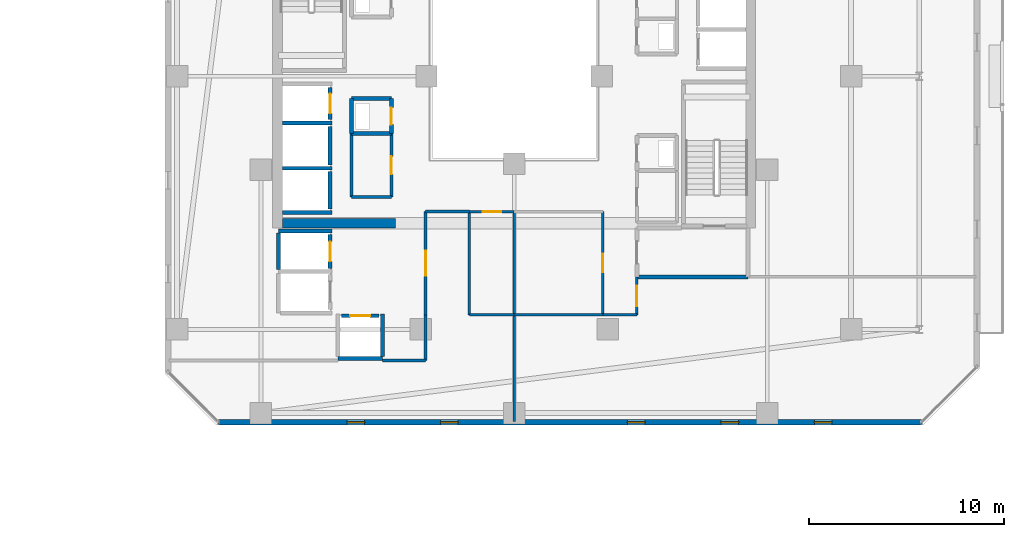
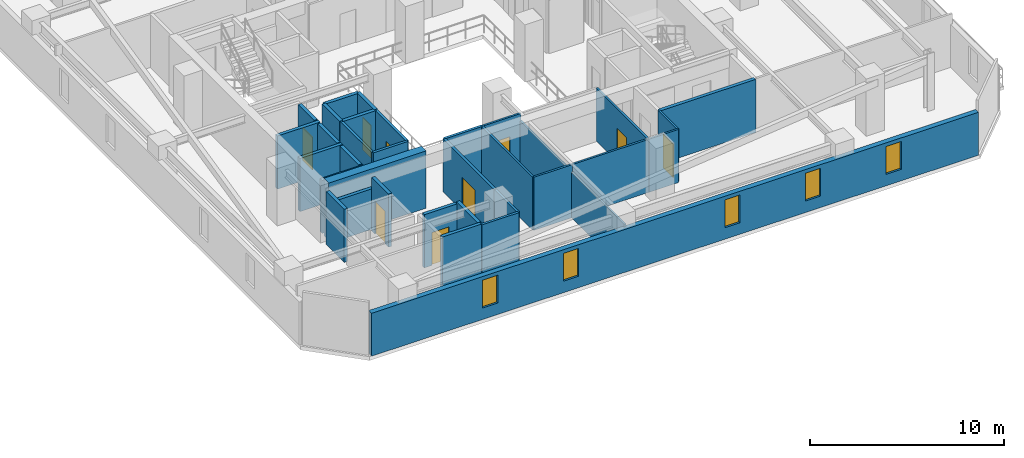
# One storey, part 23 of 33: 35 walls, 9 doors, 5 windows, 14 openings.
"""IFC4 building model written with IfcOpenShell, lengths in metres."""

from ifc_helpers import new_model, si_unit, direction, frame, frame_2d, origin, place, context, subcontext, project, spatial, rectangle, extrude, material, layer, layer_set, type_object, element, fill, save


model = new_model("IFC4")

# Units and contexts
model_context = context("Model", 3, precision=1e-05, world=origin(), true_north=direction((0.0, 1.0)))
body_context = subcontext(model_context, "Body", "Model", "MODEL_VIEW")
ifc_project = project(units=[si_unit("LENGTHUNIT", "METRE"), si_unit("AREAUNIT", "SQUARE_METRE"), si_unit("VOLUMEUNIT", "CUBIC_METRE"), si_unit("PLANEANGLEUNIT", "RADIAN"), si_unit("MASSUNIT", "GRAM", prefix="KILO")], contexts=[model_context])

# Site, building, storey
site_placement = place(None, origin())
site = spatial("IfcSite", under=ifc_project, at=site_placement, CompositionType="ELEMENT")
building_placement = place(site_placement, origin())
building = spatial("IfcBuilding", under=site, at=building_placement, Name="Thornwick Lancets Civic Towers", CompositionType="ELEMENT")
storey_placement = place(building_placement, frame((0.0, 0.0, 167.10009765625)))
storey = spatial("IfcBuildingStorey", under=building, at=storey_placement, Name="L44", CompositionType="ELEMENT", Elevation=167.10009765625)

# Wall, opening, door
ifc_material_1 = material(Name="Concrete blockwork C40/50", Category="masonry")
ifc_layer_1 = layer(ifc_material_1, 0.199951171875, Name="Concrete blockwork C40/50")
ifc_layer_set_1 = layer_set([ifc_layer_1], Name="Concrete blockwork C40/50")
wall_type_1 = type_object("IfcWallType", Name="WALL_COMP_200", PredefinedType="STANDARD", material=ifc_layer_set_1)
wall_1_placement = place(storey_placement, frame((79.050048828125, 24.780029296875, 0.0), z_axis=(0.0, 0.0, 1.0), x_axis=(0.0, 1.0, 0.0)))
wall_1 = element("IfcWall", 1, at=wall_1_placement, inside=storey, type_object=wall_type_1, Name="L44 Hoistway Front Wall FL-B2", PredefinedType="STANDARD", context=body_context, shape_type="SweptSolid", body=[
    extrude(rectangle(XDim=1.639892578125, YDim=0.199951171875, at=frame_2d((0.81982421875, 0.0))), origin(), (0.0, 0.0, 1.0), 3.33984375),
])
opening_1_placement = place(wall_1_placement, frame((0.31005859375, 0.0, 0.0)))
opening_1 = element("IfcOpeningElement", 2, at=opening_1_placement, cuts=wall_1, Name="Opening LD-FL-B2", PredefinedType="OPENING", context=body_context, shape_type="SweptSolid", body=[
    extrude(rectangle(XDim=1.02001953125, YDim=2.06005859375, at=frame_2d((0.510009765625, 1.030029296875))), frame((0.0, 0.10986328125, 0.0), z_axis=(0.0, -1.0, 0.0), x_axis=(1.0, 0.0, 0.0)), (0.0, 0.0, 1.0), 0.219970703125),
])
ifc_material_2 = material(Name="Brushed bronze stainless steel", Category="steel")
door_type_1 = type_object("IfcDoorType", Name="DOOR_LIFT_SLIDE", OperationType="SLIDING_TO_LEFT", PredefinedType="DOOR", material=ifc_material_2)
door_1_placement = place(opening_1_placement, origin())
door_1 = element("IfcDoor", 3, at=door_1_placement, inside=storey, type_object=door_type_1, Name="L44 Sliding Lift Landing Door LD-FL-B2", OperationType="SLIDING_TO_LEFT", OverallHeight=2.06005859375, OverallWidth=1.02001953125, PredefinedType="DOOR", context=body_context, shape_type="SweptSolid", body=[
    extrude(rectangle(XDim=1.02001953125, YDim=2.06005859375, at=frame_2d((0.510009765625, 1.030029296875))), frame((0.0, 0.02490234375, 0.0), z_axis=(0.0, -1.0, 0.0), x_axis=(1.0, 0.0, 0.0)), (0.0, 0.0, 1.0), 0.050048828125),
])
fill(opening_1, door_1)

# Walls
wall_2_placement = place(storey_placement, frame((79.050048828125, 22.429931640625, 0.0), z_axis=(0.0, 0.0, 1.0), x_axis=(0.0, 1.0, 0.0)))
element("IfcWall", 4, at=wall_2_placement, inside=storey, type_object=wall_type_1, Name="L44 Hoistway Front Wall PL-BH2", PredefinedType="STANDARD", context=body_context, shape_type="SweptSolid", body=[
    extrude(rectangle(XDim=1.989990234375, YDim=0.199951171875, at=frame_2d((0.9951171875, 0.0))), origin(), (0.0, 0.0, 1.0), 3.33984375),
])
wall_3_placement = place(storey_placement, frame((79.050048828125, 20.179931640625, 0.0), z_axis=(0.0, 0.0, 1.0), x_axis=(0.0, 1.0, 0.0)))
element("IfcWall", 5, at=wall_3_placement, inside=storey, type_object=wall_type_1, Name="L44 Hoistway Front Wall PL-BH3", PredefinedType="STANDARD", context=body_context, shape_type="SweptSolid", body=[
    extrude(rectangle(XDim=1.940185546875, YDim=0.199951171875, at=frame_2d((0.97021484375, 0.0))), origin(), (0.0, 0.0, 1.0), 3.33984375),
])

# Wall, opening, door
wall_4_placement = place(storey_placement, frame((79.050048828125, 17.1298828125, 0.0), z_axis=(0.0, 0.0, 1.0), x_axis=(0.0, 1.0, 0.0)))
wall_4 = element("IfcWall", 6, at=wall_4_placement, inside=storey, type_object=wall_type_1, Name="L44 Hoistway Front Wall PL-BM1", PredefinedType="STANDARD", context=body_context, shape_type="SweptSolid", body=[
    extrude(rectangle(XDim=1.740234375, YDim=0.199951171875, at=frame_2d((0.8701171875, 0.0))), origin(), (0.0, 0.0, 1.0), 3.33984375),
])
opening_2_placement = place(wall_4_placement, frame((0.360107421875, 0.0, 0.0)))
opening_2 = element("IfcOpeningElement", 7, at=opening_2_placement, cuts=wall_4, Name="Opening LD-PL-BM1", PredefinedType="OPENING", context=body_context, shape_type="SweptSolid", body=[
    extrude(rectangle(XDim=1.02001953125, YDim=2.06005859375, at=frame_2d((0.510009765625, 1.030029296875))), frame((0.0, 0.10986328125, 0.0), z_axis=(0.0, -1.0, 0.0), x_axis=(1.0, 0.0, 0.0)), (0.0, 0.0, 1.0), 0.219970703125),
])
door_2_placement = place(opening_2_placement, origin())
door_2 = element("IfcDoor", 8, at=door_2_placement, inside=storey, type_object=door_type_1, Name="L44 Sliding Lift Landing Door LD-PL-BM1", OperationType="SLIDING_TO_LEFT", OverallHeight=2.06005859375, OverallWidth=1.02001953125, PredefinedType="DOOR", context=body_context, shape_type="SweptSolid", body=[
    extrude(rectangle(XDim=1.02001953125, YDim=2.06005859375, at=frame_2d((0.510009765625, 1.030029296875))), frame((0.0, 0.02490234375, 0.0), z_axis=(0.0, -1.0, 0.0), x_axis=(1.0, 0.0, 0.0)), (0.0, 0.0, 1.0), 0.050048828125),
])
fill(opening_2, door_2)

wall_5_placement = place(storey_placement, frame((79.6298828125, 14.699951171875, 0.0), z_axis=(0.0, 0.0, 1.0), x_axis=(1.0, 0.0, 0.0)))
wall_5 = element("IfcWall", 9, at=wall_5_placement, inside=storey, type_object=wall_type_1, Name="L44 Hoistway Front Wall PL-BM3", PredefinedType="STANDARD", context=body_context, shape_type="SweptSolid", body=[
    extrude(rectangle(XDim=1.940185546875, YDim=0.199951171875, at=frame_2d((0.97021484375, 0.0))), origin(), (0.0, 0.0, 1.0), 3.33984375),
])
opening_3_placement = place(wall_5_placement, frame((0.4599609375, 0.0, 0.0)))
opening_3 = element("IfcOpeningElement", 10, at=opening_3_placement, cuts=wall_5, Name="Opening LD-PL-BM3", PredefinedType="OPENING", context=body_context, shape_type="SweptSolid", body=[
    extrude(rectangle(XDim=1.02001953125, YDim=2.06005859375, at=frame_2d((0.510009765625, 1.030029296875))), frame((0.0, 0.10986328125, 0.0), z_axis=(0.0, -1.0, 0.0), x_axis=(1.0, 0.0, 0.0)), (0.0, 0.0, 1.0), 0.219970703125),
])
door_3_placement = place(opening_3_placement, origin())
door_3 = element("IfcDoor", 11, at=door_3_placement, inside=storey, type_object=door_type_1, Name="L44 Sliding Lift Landing Door LD-PL-BM3", OperationType="SLIDING_TO_LEFT", OverallHeight=2.06005859375, OverallWidth=1.02001953125, PredefinedType="DOOR", context=body_context, shape_type="SweptSolid", body=[
    extrude(rectangle(XDim=1.02001953125, YDim=2.06005859375, at=frame_2d((0.510009765625, 1.030029296875))), frame((0.0, 0.02490234375, 0.0), z_axis=(0.0, -1.0, 0.0), x_axis=(1.0, 0.0, 0.0)), (0.0, 0.0, 1.0), 0.050048828125),
])
fill(opening_3, door_3)

# Walls
for number, where, z_axis, x_axis, name in (
    (12, (76.612060546875, 24.60009765625, 0.0), (0.0, 0.0, 1.0), (1.0, 0.0, 0.0), "L44 Hoistway Shaft Wall FL-B2 S"),
    (13, (76.612060546875, 22.27490234375, 0.0), (0.0, 0.0, 1.0), (1.0, 0.0, 0.0), "L44 Hoistway Shaft Wall PL-BH2 S"),
    (14, (76.612060546875, 20.0, 0.0), (0.0, 0.0, 1.0), (1.0, 0.0, 0.0), "L44 Hoistway Shaft Wall PL-BH3 S"),
):
    element("IfcWall", number, at=place(storey_placement, frame(where, z_axis=z_axis, x_axis=x_axis)), inside=storey, type_object=wall_type_1, Name=name, PredefinedType="STANDARD", context=body_context, shape_type="SweptSolid", body=[
        extrude(rectangle(XDim=2.535888671875, YDim=0.199951171875, at=frame_2d((1.26806640625, 0.0))), origin(), (0.0, 0.0, 1.0), 3.33984375),
    ])
wall_6_placement = place(storey_placement, frame((76.402099609375, 19.050048828125, 0.0), z_axis=(0.0, 0.0, 1.0), x_axis=(1.0, 0.0, 0.0)))
element("IfcWall", 15, at=wall_6_placement, inside=storey, type_object=wall_type_1, Name="L44 Hoistway Shaft Wall PL-BM1 N", PredefinedType="STANDARD", context=body_context, shape_type="SweptSolid", body=[
    extrude(rectangle(XDim=2.745849609375, YDim=0.199951171875, at=frame_2d((1.373046875, 0.0))), origin(), (0.0, 0.0, 1.0), 2.544921875),
])
wall_7_placement = place(storey_placement, frame((76.39990234375, 17.08203125, 0.0), z_axis=(0.0, 0.0, 1.0), x_axis=(0.0, 1.0, 0.0)))
element("IfcWall", 16, at=wall_7_placement, inside=storey, type_object=wall_type_1, Name="L44 Hoistway Shaft Wall PL-BM1 W", PredefinedType="STANDARD", context=body_context, shape_type="SweptSolid", body=[
    extrude(rectangle(XDim=1.85595703125, YDim=0.199951171875, at=frame_2d((0.927978515625, 0.0))), origin(), (0.0, 0.0, 1.0), 3.33984375),
])
wall_8_placement = place(storey_placement, frame((79.451904296875, 12.5, 0.0), z_axis=(0.0, 0.0, 1.0), x_axis=(1.0, 0.0, 0.0)))
element("IfcWall", 17, at=wall_8_placement, inside=storey, type_object=wall_type_1, Name="L44 Hoistway Shaft Wall PL-BM3 S", PredefinedType="STANDARD", context=body_context, shape_type="SweptSolid", body=[
    extrude(rectangle(XDim=2.296142578125, YDim=0.199951171875, at=frame_2d((1.14794921875, 0.0))), origin(), (0.0, 0.0, 1.0), 3.33984375),
])
wall_9_placement = place(storey_placement, frame((81.75, 12.612060546875, 0.0), z_axis=(0.0, 0.0, 1.0), x_axis=(0.0, 1.0, 0.0)))
element("IfcWall", 18, at=wall_9_placement, inside=storey, type_object=wall_type_1, Name="L44 Hoistway Shaft Wall PL-BM3 E", PredefinedType="STANDARD", context=body_context, shape_type="SweptSolid", body=[
    extrude(rectangle(XDim=2.18603515625, YDim=0.199951171875, at=frame_2d((1.093017578125, 0.0))), origin(), (0.0, 0.0, 1.0), 3.33984375),
])
wall_10_placement = place(storey_placement, frame((94.800048828125, 16.699951171875, 0.0), z_axis=(0.0, 0.0, 1.0), x_axis=(1.0, 0.0, 0.0)))
element("IfcWall", 19, at=wall_10_placement, inside=storey, type_object=wall_type_1, Name="L44 Partition L44-B-FFLOB1 E1", PredefinedType="STANDARD", context=body_context, shape_type="SweptSolid", body=[
    extrude(rectangle(XDim=5.699951171875, YDim=0.199951171875, at=frame_2d((2.85009765625, 0.0))), origin(), (0.0, 0.0, 1.0), 3.33984375),
])
wall_11_placement = place(storey_placement, frame((80.14990234375, 24.050048828125, 0.0), z_axis=(0.0, 0.0, 1.0), x_axis=(1.0, 0.0, 0.0)))
element("IfcWall", 20, at=wall_11_placement, inside=storey, type_object=wall_type_1, Name="L44 Partition L44-B-DUCT2 E1", PredefinedType="STANDARD", context=body_context, shape_type="SweptSolid", body=[
    extrude(rectangle(XDim=2.050048828125, YDim=0.199951171875, at=frame_2d((1.02490234375, 0.0))), origin(), (0.0, 0.0, 1.0), 3.33984375),
])

# Wall, opening, door
wall_12_placement = place(storey_placement, frame((82.199951171875, 24.050048828125, 0.0), z_axis=(0.0, 0.0, 1.0), x_axis=(0.0, 1.0, 0.0)))
wall_12 = element("IfcWall", 21, at=wall_12_placement, inside=storey, type_object=wall_type_1, Name="L44 Partition L44-B-DUCT2 E2", PredefinedType="STANDARD", context=body_context, shape_type="SweptSolid", body=[
    extrude(rectangle(XDim=1.800048828125, YDim=0.199951171875, at=frame_2d((0.89990234375, 0.0))), origin(), (0.0, 0.0, 1.0), 3.33984375),
])
opening_4_placement = place(wall_12_placement, frame((0.4599609375, 0.0, 0.0)))
opening_4 = element("IfcOpeningElement", 22, at=opening_4_placement, cuts=wall_12, Name="Opening D-L44-1972", PredefinedType="OPENING", context=body_context, shape_type="SweptSolid", body=[
    extrude(rectangle(XDim=0.8798828125, YDim=2.0400390625, at=frame_2d((0.43994140625, 1.02001953125))), frame((0.0, 0.10986328125, 0.0), z_axis=(0.0, -1.0, 0.0), x_axis=(1.0, 0.0, 0.0)), (0.0, 0.0, 1.0), 0.219970703125),
])
ifc_material_3 = material(Name="Steel riser access doorset", Category="steel")
door_type_2 = type_object("IfcDoorType", Name="DOOR_RISER_850", OperationType="NOTDEFINED", PredefinedType="DOOR", material=ifc_material_3)
door_4_placement = place(opening_4_placement, origin())
door_4 = element("IfcDoor", 23, at=door_4_placement, inside=storey, type_object=door_type_2, Name="L44 West Service Duct 2 Door", OperationType="SINGLE_SWING_LEFT", OverallHeight=2.0400390625, OverallWidth=0.8798828125, PredefinedType="DOOR", context=body_context, shape_type="SweptSolid", body=[
    extrude(rectangle(XDim=0.8798828125, YDim=2.0400390625, at=frame_2d((0.43994140625, 1.02001953125))), frame((0.0, 0.02490234375, 0.0), z_axis=(0.0, -1.0, 0.0), x_axis=(1.0, 0.0, 0.0)), (0.0, 0.0, 1.0), 0.050048828125),
])
fill(opening_4, door_4)

# Walls
wall_13_placement = place(storey_placement, frame((82.199951171875, 25.85009765625, 0.0), z_axis=(0.0, 0.0, 1.0), x_axis=(-1.0, 0.0, 0.0)))
element("IfcWall", 24, at=wall_13_placement, inside=storey, type_object=wall_type_1, Name="L44 Partition L44-B-DUCT2 E3", PredefinedType="STANDARD", context=body_context, shape_type="SweptSolid", body=[
    extrude(rectangle(XDim=2.050048828125, YDim=0.199951171875, at=frame_2d((1.02490234375, 0.0))), origin(), (0.0, 0.0, 1.0), 3.33984375),
])
wall_14_placement = place(storey_placement, frame((80.14990234375, 25.85009765625, 0.0), z_axis=(0.0, 0.0, 1.0), x_axis=(0.0, -1.0, 0.0)))
element("IfcWall", 25, at=wall_14_placement, inside=storey, type_object=wall_type_1, Name="L44 Partition L44-B-DUCT2 E4", PredefinedType="STANDARD", context=body_context, shape_type="SweptSolid", body=[
    extrude(rectangle(XDim=1.800048828125, YDim=0.199951171875, at=frame_2d((0.89990234375, 0.0))), origin(), (0.0, 0.0, 1.0), 3.33984375),
])
ifc_material_4 = material(Name="Concrete C50/60", Category="concrete")
ifc_layer_2 = layer(ifc_material_4, 0.5, Name="Concrete C50/60")
ifc_layer_set_2 = layer_set([ifc_layer_2], Name="Concrete C50/60")
wall_type_2 = type_object("IfcWallType", Name="WALL_CORE_500", PredefinedType="SHEAR", material=ifc_layer_set_2)
wall_15_placement = place(storey_placement, frame((76.60009765625, 19.449951171875, 0.0), z_axis=(0.0, 0.0, 1.0), x_axis=(1.0, 0.0, 0.0)))
element("IfcWall", 26, at=wall_15_placement, inside=storey, type_object=wall_type_2, Name="L44 Split Core B2 Shear Wall S", PredefinedType="SHEAR", context=body_context, shape_type="SweptSolid", body=[
    extrude(rectangle(XDim=5.7998046875, YDim=0.5, at=frame_2d((2.89990234375, 0.0))), origin(), (0.0, 0.0, 1.0), 3.599853515625),
])

# Wall, openings, windows
ifc_material_5 = material(Name="Insulated russet terracotta rainscreen on concrete C40/50", Category="masonry")
ifc_layer_3 = layer(ifc_material_5, 0.300048828125, Name="Insulated russet terracotta rainscreen on concrete C40/50")
ifc_layer_set_3 = layer_set([ifc_layer_3], Name="Insulated russet terracotta rainscreen on concrete C40/50")
wall_type_3 = type_object("IfcWallType", Name="WALL_EXT_RUSSET_300", PredefinedType="STANDARD", material=ifc_layer_set_3)
wall_16_placement = place(storey_placement, frame((73.318603515625, 9.2353515625, 0.0), z_axis=(0.0, 0.0, 1.0), x_axis=(0.999999999634, 2.7061402e-05, 0.0)))
wall_16 = element("IfcWall", 27, at=wall_16_placement, inside=storey, type_object=wall_type_3, Name="L44 Tower B Terracotta Facade Wall E0", PredefinedType="STANDARD", context=body_context, shape_type="SweptSolid", body=[
    extrude(rectangle(XDim=36.0869140625, YDim=0.300048828125, at=frame_2d((18.04345703125, 0.0))), origin(), (0.0, 0.0, 1.0), 2.699951171875),
])
opening_5_placement = place(wall_16_placement, frame((6.60009765625, 0.0, 0.719970703125)))
opening_5 = element("IfcOpeningElement", 28, at=opening_5_placement, cuts=wall_16, Name="Opening WL-01", PredefinedType="OPENING", context=body_context, shape_type="SweptSolid", body=[
    extrude(rectangle(XDim=0.89990234375, YDim=1.75, at=frame_2d((0.449951171875, 0.875))), frame((0.0, 0.16015625, 0.0), z_axis=(0.0, -1.0, 0.0), x_axis=(1.0, 0.0, 0.0)), (0.0, 0.0, 1.0), 0.320068359375),
])
opening_6_placement = place(wall_16_placement, frame((11.39990234375, 0.0, 0.719970703125)))
opening_6 = element("IfcOpeningElement", 29, at=opening_6_placement, cuts=wall_16, Name="Opening WL-01", PredefinedType="OPENING", context=body_context, shape_type="SweptSolid", body=[
    extrude(rectangle(XDim=0.89990234375, YDim=1.75, at=frame_2d((0.449951171875, 0.875))), frame((0.0, 0.16015625, 0.0), z_axis=(0.0, -1.0, 0.0), x_axis=(1.0, 0.0, 0.0)), (0.0, 0.0, 1.0), 0.320068359375),
])
opening_7_placement = place(wall_16_placement, frame((21.0, 0.0, 0.719970703125)))
opening_7 = element("IfcOpeningElement", 30, at=opening_7_placement, cuts=wall_16, Name="Opening WL-01", PredefinedType="OPENING", context=body_context, shape_type="SweptSolid", body=[
    extrude(rectangle(XDim=0.89990234375, YDim=1.75, at=frame_2d((0.449951171875, 0.875))), frame((0.0, 0.16015625, 0.0), z_axis=(0.0, -1.0, 0.0), x_axis=(1.0, 0.0, 0.0)), (0.0, 0.0, 1.0), 0.320068359375),
])
opening_8_placement = place(wall_16_placement, frame((25.800048828125, 0.0, 0.719970703125)))
opening_8 = element("IfcOpeningElement", 31, at=opening_8_placement, cuts=wall_16, Name="Opening WL-01", PredefinedType="OPENING", context=body_context, shape_type="SweptSolid", body=[
    extrude(rectangle(XDim=0.89990234375, YDim=1.75, at=frame_2d((0.449951171875, 0.875))), frame((0.0, 0.16015625, 0.0), z_axis=(0.0, -1.0, 0.0), x_axis=(1.0, 0.0, 0.0)), (0.0, 0.0, 1.0), 0.320068359375),
])
opening_9_placement = place(wall_16_placement, frame((30.60009765625, 0.0, 0.719970703125)))
opening_9 = element("IfcOpeningElement", 32, at=opening_9_placement, cuts=wall_16, Name="Opening WL-01", PredefinedType="OPENING", context=body_context, shape_type="SweptSolid", body=[
    extrude(rectangle(XDim=0.89990234375, YDim=1.75, at=frame_2d((0.449951171875, 0.875))), frame((0.0, 0.16015625, 0.0), z_axis=(0.0, -1.0, 0.0), x_axis=(1.0, 0.0, 0.0)), (0.0, 0.0, 1.0), 0.320068359375),
])
ifc_material_6 = material(Name="Clear low-e double glazing in bronze frame", Category="glass")
window_type = type_object("IfcWindowType", Name="WIN_LANCET_900", PartitioningType="SINGLE_PANEL", PredefinedType="WINDOW", material=ifc_material_6)
window_1_placement = place(opening_5_placement, origin())
window_1 = element("IfcWindow", 33, at=window_1_placement, inside=storey, type_object=window_type, Name="L44 Tower B Staggered Lancet Window E0-1", OverallHeight=1.75, OverallWidth=0.89990234375, PartitioningType="SINGLE_PANEL", PredefinedType="WINDOW", context=body_context, shape_type="SweptSolid", body=[
    extrude(rectangle(XDim=0.89990234375, YDim=1.75, at=frame_2d((0.449951171875, 0.875))), frame((0.0, 0.030029296875, 0.0), z_axis=(0.0, -1.0, 0.0), x_axis=(1.0, 0.0, 0.0)), (0.0, 0.0, 1.0), 0.06005859375),
])
fill(opening_5, window_1)
window_2_placement = place(opening_6_placement, origin())
window_2 = element("IfcWindow", 34, at=window_2_placement, inside=storey, type_object=window_type, Name="L44 Tower B Staggered Lancet Window E0-2", OverallHeight=1.75, OverallWidth=0.89990234375, PartitioningType="SINGLE_PANEL", PredefinedType="WINDOW", context=body_context, shape_type="SweptSolid", body=[
    extrude(rectangle(XDim=0.89990234375, YDim=1.75, at=frame_2d((0.449951171875, 0.875))), frame((0.0, 0.030029296875, 0.0), z_axis=(0.0, -1.0, 0.0), x_axis=(1.0, 0.0, 0.0)), (0.0, 0.0, 1.0), 0.06005859375),
])
fill(opening_6, window_2)
window_3_placement = place(opening_7_placement, origin())
window_3 = element("IfcWindow", 35, at=window_3_placement, inside=storey, type_object=window_type, Name="L44 Tower B Staggered Lancet Window E0-3", OverallHeight=1.75, OverallWidth=0.89990234375, PartitioningType="SINGLE_PANEL", PredefinedType="WINDOW", context=body_context, shape_type="SweptSolid", body=[
    extrude(rectangle(XDim=0.89990234375, YDim=1.75, at=frame_2d((0.449951171875, 0.875))), frame((0.0, 0.030029296875, 0.0), z_axis=(0.0, -1.0, 0.0), x_axis=(1.0, 0.0, 0.0)), (0.0, 0.0, 1.0), 0.06005859375),
])
fill(opening_7, window_3)
window_4_placement = place(opening_8_placement, origin())
window_4 = element("IfcWindow", 36, at=window_4_placement, inside=storey, type_object=window_type, Name="L44 Tower B Staggered Lancet Window E0-4", OverallHeight=1.75, OverallWidth=0.89990234375, PartitioningType="SINGLE_PANEL", PredefinedType="WINDOW", context=body_context, shape_type="SweptSolid", body=[
    extrude(rectangle(XDim=0.89990234375, YDim=1.75, at=frame_2d((0.449951171875, 0.875))), frame((0.0, 0.030029296875, 0.0), z_axis=(0.0, -1.0, 0.0), x_axis=(1.0, 0.0, 0.0)), (0.0, 0.0, 1.0), 0.06005859375),
])
fill(opening_8, window_4)
window_5_placement = place(opening_9_placement, origin())
window_5 = element("IfcWindow", 37, at=window_5_placement, inside=storey, type_object=window_type, Name="L44 Tower B Staggered Lancet Window E0-5", OverallHeight=1.75, OverallWidth=0.89990234375, PartitioningType="SINGLE_PANEL", PredefinedType="WINDOW", context=body_context, shape_type="SweptSolid", body=[
    extrude(rectangle(XDim=0.89990234375, YDim=1.75, at=frame_2d((0.449951171875, 0.875))), frame((0.0, 0.030029296875, 0.0), z_axis=(0.0, -1.0, 0.0), x_axis=(1.0, 0.0, 0.0)), (0.0, 0.0, 1.0), 0.06005859375),
])
fill(opening_9, window_5)

# Walls
ifc_material_7 = material(Name="Acoustic gypsum board partition")
ifc_layer_4 = layer(ifc_material_7, 0.1201171875, Name="Acoustic gypsum board partition")
ifc_layer_set_4 = layer_set([ifc_layer_4], Name="Acoustic gypsum board partition")
wall_type_4 = type_object("IfcWallType", Name="WALL_PART_120", PredefinedType="PARTITIONING", material=ifc_layer_set_4)
wall_17_placement = place(storey_placement, frame((88.5, 9.280029296875, 0.0), z_axis=(0.0, 0.0, 1.0), x_axis=(0.0, 1.0, 0.0)))
element("IfcWall", 38, at=wall_17_placement, inside=storey, type_object=wall_type_4, Name="L44 Partition L44-B-W1 E2", PredefinedType="PARTITIONING", context=body_context, shape_type="SweptSolid", body=[
    extrude(rectangle(XDim=5.469970703125, YDim=0.1201171875, at=frame_2d((2.73486328125, 0.0))), origin(), (0.0, 0.0, 1.0), 2.881591796875),
])
wall_18_placement = place(storey_placement, frame((88.5, 14.75, 0.0), z_axis=(0.0, 0.0, 1.0), x_axis=(1.0, 0.0, 0.0)))
element("IfcWall", 39, at=wall_18_placement, inside=storey, type_object=wall_type_4, Name="L44 Partition L44-B-W1 E3", PredefinedType="PARTITIONING", context=body_context, shape_type="SweptSolid", body=[
    extrude(rectangle(XDim=4.550048828125, YDim=0.1201171875, at=frame_2d((2.27490234375, 0.0))), origin(), (0.0, 0.0, 1.0), 3.33984375),
])
wall_19_placement = place(storey_placement, frame((93.050048828125, 14.75, 0.0), z_axis=(0.0, 0.0, 1.0), x_axis=(1.0, 0.0, 0.0)))
element("IfcWall", 40, at=wall_19_placement, inside=storey, type_object=wall_type_4, Name="L44 Partition L44-B-W1 E4", PredefinedType="PARTITIONING", context=body_context, shape_type="SweptSolid", body=[
    extrude(rectangle(XDim=1.75, YDim=0.1201171875, at=frame_2d((0.875, 0.0))), origin(), (0.0, 0.0, 1.0), 3.33984375),
])

# Wall, opening, door
wall_20_placement = place(storey_placement, frame((94.800048828125, 14.75, 0.0), z_axis=(0.0, 0.0, 1.0), x_axis=(0.0, 1.0, 0.0)))
wall_20 = element("IfcWall", 41, at=wall_20_placement, inside=storey, type_object=wall_type_4, Name="L44 Partition L44-B-W1 E5", PredefinedType="PARTITIONING", context=body_context, shape_type="SweptSolid", body=[
    extrude(rectangle(XDim=1.949951171875, YDim=0.1201171875, at=frame_2d((0.97509765625, 0.0))), origin(), (0.0, 0.0, 1.0), 3.33984375),
])
opening_10_placement = place(wall_20_placement, frame((0.449951171875, 0.0, 0.0)))
opening_10 = element("IfcOpeningElement", 42, at=opening_10_placement, cuts=wall_20, Name="Opening D-L44-1991", PredefinedType="OPENING", context=body_context, shape_type="SweptSolid", body=[
    extrude(rectangle(XDim=1.050048828125, YDim=2.10009765625, at=frame_2d((0.52490234375, 1.050048828125))), frame((0.0, 0.070068359375, 0.0), z_axis=(0.0, -1.0, 0.0), x_axis=(1.0, 0.0, 0.0)), (0.0, 0.0, 1.0), 0.14013671875),
])
ifc_material_8 = material(Name="Glazed European oak executive doorset")
door_type_3 = type_object("IfcDoorType", Name="DOOR_OFFICE_1050", OperationType="NOTDEFINED", PredefinedType="DOOR", material=ifc_material_8)
door_5_placement = place(opening_10_placement, origin())
door_5 = element("IfcDoor", 43, at=door_5_placement, inside=storey, type_object=door_type_3, Name="L44 Tower B Ministry Directorate Office W1 Door", OperationType="SINGLE_SWING_RIGHT", OverallHeight=2.10009765625, OverallWidth=1.050048828125, PredefinedType="DOOR", context=body_context, shape_type="SweptSolid", body=[
    extrude(rectangle(XDim=1.050048828125, YDim=2.10009765625, at=frame_2d((0.52490234375, 1.050048828125))), frame((0.0, 0.02490234375, 0.0), z_axis=(0.0, -1.0, 0.0), x_axis=(1.0, 0.0, 0.0)), (0.0, 0.0, 1.0), 0.050048828125),
])
fill(opening_10, door_5)

# Wall
wall_21_placement = place(storey_placement, frame((88.5, 14.75, 0.0), z_axis=(0.0, 0.0, 1.0), x_axis=(0.0, 1.0, 0.0)))
element("IfcWall", 44, at=wall_21_placement, inside=storey, type_object=wall_type_4, Name="L44 Partition L44-B-W2 E1", PredefinedType="PARTITIONING", context=body_context, shape_type="SweptSolid", body=[
    extrude(rectangle(XDim=5.300048828125, YDim=0.1201171875, at=frame_2d((2.64990234375, 0.0))), origin(), (0.0, 0.0, 1.0), 2.881591796875),
])

# Wall, opening, door
wall_22_placement = place(storey_placement, frame((93.050048828125, 20.050048828125, 0.0), z_axis=(0.0, 0.0, 1.0), x_axis=(0.0, -1.0, 0.0)))
wall_22 = element("IfcWall", 45, at=wall_22_placement, inside=storey, type_object=wall_type_4, Name="L44 Partition L44-B-W2 E3", PredefinedType="PARTITIONING", context=body_context, shape_type="SweptSolid", body=[
    extrude(rectangle(XDim=5.300048828125, YDim=0.1201171875, at=frame_2d((2.64990234375, 0.0))), origin(), (0.0, 0.0, 1.0), 3.33984375),
])
opening_11_placement = place(wall_22_placement, frame((2.175048828125, 0.0, 0.0)))
opening_11 = element("IfcOpeningElement", 46, at=opening_11_placement, cuts=wall_22, Name="Opening D-L44-1992", PredefinedType="OPENING", context=body_context, shape_type="SweptSolid", body=[
    extrude(rectangle(XDim=0.949951171875, YDim=2.10009765625, at=frame_2d((0.47509765625, 1.050048828125))), frame((0.0, 0.070068359375, 0.0), z_axis=(0.0, -1.0, 0.0), x_axis=(1.0, 0.0, 0.0)), (0.0, 0.0, 1.0), 0.14013671875),
])
ifc_material_9 = material(Name="European oak acoustic doorset")
door_type_4 = type_object("IfcDoorType", Name="DOOR_OFFICE_950", OperationType="NOTDEFINED", PredefinedType="DOOR", material=ifc_material_9)
door_6_placement = place(opening_11_placement, origin())
door_6 = element("IfcDoor", 47, at=door_6_placement, inside=storey, type_object=door_type_4, Name="L44 Tower B Statutory Research Suite Door", OperationType="SINGLE_SWING_LEFT", OverallHeight=2.10009765625, OverallWidth=0.949951171875, PredefinedType="DOOR", context=body_context, shape_type="SweptSolid", body=[
    extrude(rectangle(XDim=0.949951171875, YDim=2.10009765625, at=frame_2d((0.47509765625, 1.050048828125))), frame((0.0, 0.02490234375, 0.0), z_axis=(0.0, -1.0, 0.0), x_axis=(1.0, 0.0, 0.0)), (0.0, 0.0, 1.0), 0.050048828125),
])
fill(opening_11, door_6)

# Wall
wall_23_placement = place(storey_placement, frame((86.199951171875, 14.75, 0.0), z_axis=(0.0, 0.0, 1.0), x_axis=(0.0, 1.0, 0.0)))
element("IfcWall", 48, at=wall_23_placement, inside=storey, type_object=wall_type_4, Name="L44 Partition L44-B-W3 E1", PredefinedType="PARTITIONING", context=body_context, shape_type="SweptSolid", body=[
    extrude(rectangle(XDim=5.300048828125, YDim=0.1201171875, at=frame_2d((2.64990234375, 0.0))), origin(), (0.0, 0.0, 1.0), 3.33984375),
])

# Wall, opening, door
wall_24_placement = place(storey_placement, frame((86.199951171875, 20.050048828125, 0.0), z_axis=(0.0, 0.0, 1.0), x_axis=(1.0, 0.0, 0.0)))
wall_24 = element("IfcWall", 49, at=wall_24_placement, inside=storey, type_object=wall_type_4, Name="L44 Partition L44-B-W3 E2", PredefinedType="PARTITIONING", context=body_context, shape_type="SweptSolid", body=[
    extrude(rectangle(XDim=2.300048828125, YDim=0.1201171875, at=frame_2d((1.14990234375, 0.0))), origin(), (0.0, 0.0, 1.0), 3.33984375),
])
opening_12_placement = place(wall_24_placement, frame((0.675048828125, 0.0, 0.0)))
opening_12 = element("IfcOpeningElement", 50, at=opening_12_placement, cuts=wall_24, Name="Opening D-L44-1993", PredefinedType="OPENING", context=body_context, shape_type="SweptSolid", body=[
    extrude(rectangle(XDim=0.949951171875, YDim=2.10009765625, at=frame_2d((0.47509765625, 1.050048828125))), frame((0.0, 0.070068359375, 0.0), z_axis=(0.0, -1.0, 0.0), x_axis=(1.0, 0.0, 0.0)), (0.0, 0.0, 1.0), 0.14013671875),
])
door_7_placement = place(opening_12_placement, origin())
door_7 = element("IfcDoor", 51, at=door_7_placement, inside=storey, type_object=door_type_4, Name="L44 Tower B Staff Tea Pantry and Lounge Door", OperationType="SINGLE_SWING_RIGHT", OverallHeight=2.10009765625, OverallWidth=0.949951171875, PredefinedType="DOOR", context=body_context, shape_type="SweptSolid", body=[
    extrude(rectangle(XDim=0.949951171875, YDim=2.10009765625, at=frame_2d((0.47509765625, 1.050048828125))), frame((0.0, 0.02490234375, 0.0), z_axis=(0.0, -1.0, 0.0), x_axis=(1.0, 0.0, 0.0)), (0.0, 0.0, 1.0), 0.050048828125),
])
fill(opening_12, door_7)

# Walls
wall_25_placement = place(storey_placement, frame((88.5, 14.75, 0.0), z_axis=(0.0, 0.0, 1.0), x_axis=(-1.0, 0.0, 0.0)))
element("IfcWall", 52, at=wall_25_placement, inside=storey, type_object=wall_type_4, Name="L44 Partition L44-B-W3 E4", PredefinedType="PARTITIONING", context=body_context, shape_type="SweptSolid", body=[
    extrude(rectangle(XDim=2.300048828125, YDim=0.1201171875, at=frame_2d((1.14990234375, 0.0))), origin(), (0.0, 0.0, 1.0), 3.33984375),
])
ifc_material_10 = material(Name="Twin-stud acoustic gypsum board")
ifc_layer_5 = layer(ifc_material_10, 0.14990234375, Name="Twin-stud acoustic gypsum board")
ifc_layer_set_5 = layer_set([ifc_layer_5], Name="Twin-stud acoustic gypsum board")
wall_type_5 = type_object("IfcWallType", Name="WALL_PART_150", PredefinedType="PARTITIONING", material=ifc_layer_set_5)
wall_26_placement = place(storey_placement, frame((82.199951171875, 20.800048828125, 0.0), z_axis=(0.0, 0.0, 1.0), x_axis=(-1.0, 0.0, 0.0)))
element("IfcWall", 53, at=wall_26_placement, inside=storey, type_object=wall_type_5, Name="L44 Partition L44-B-FWC E1", PredefinedType="PARTITIONING", context=body_context, shape_type="SweptSolid", body=[
    extrude(rectangle(XDim=2.050048828125, YDim=0.14990234375, at=frame_2d((1.02490234375, 0.0))), origin(), (0.0, 0.0, 1.0), 3.33984375),
])
wall_27_placement = place(storey_placement, frame((80.14990234375, 20.800048828125, 0.0), z_axis=(0.0, 0.0, 1.0), x_axis=(0.0, 1.0, 0.0)))
element("IfcWall", 54, at=wall_27_placement, inside=storey, type_object=wall_type_5, Name="L44 Partition L44-B-FWC E2", PredefinedType="PARTITIONING", context=body_context, shape_type="SweptSolid", body=[
    extrude(rectangle(XDim=3.25, YDim=0.14990234375, at=frame_2d((1.625, 0.0))), origin(), (0.0, 0.0, 1.0), 3.33984375),
])

# Wall, opening, door
wall_28_placement = place(storey_placement, frame((82.199951171875, 24.050048828125, 0.0), z_axis=(0.0, 0.0, 1.0), x_axis=(0.0, -1.0, 0.0)))
wall_28 = element("IfcWall", 55, at=wall_28_placement, inside=storey, type_object=wall_type_5, Name="L44 Partition L44-B-FWC E4", PredefinedType="PARTITIONING", context=body_context, shape_type="SweptSolid", body=[
    extrude(rectangle(XDim=3.25, YDim=0.14990234375, at=frame_2d((1.625, 0.0))), origin(), (0.0, 0.0, 1.0), 3.33984375),
])
opening_13_placement = place(wall_28_placement, frame((1.1650390625, 0.0, 0.0)))
opening_13 = element("IfcOpeningElement", 56, at=opening_13_placement, cuts=wall_28, Name="Opening D-L44-1977", PredefinedType="OPENING", context=body_context, shape_type="SweptSolid", body=[
    extrude(rectangle(XDim=0.919921875, YDim=2.080078125, at=frame_2d((0.4599609375, 1.0400390625))), frame((0.0, 0.0849609375, 0.0), z_axis=(0.0, -1.0, 0.0), x_axis=(1.0, 0.0, 0.0)), (0.0, 0.0, 1.0), 0.169921875),
])
ifc_material_11 = material(Name="Moisture-resistant oak doorset")
door_type_5 = type_object("IfcDoorType", Name="DOOR_WC_900", OperationType="NOTDEFINED", PredefinedType="DOOR", material=ifc_material_11)
door_8_placement = place(opening_13_placement, origin())
door_8 = element("IfcDoor", 57, at=door_8_placement, inside=storey, type_object=door_type_5, Name="L44 Tower B Female WC Door", OperationType="SINGLE_SWING_RIGHT", OverallHeight=2.080078125, OverallWidth=0.919921875, PredefinedType="DOOR", context=body_context, shape_type="SweptSolid", body=[
    extrude(rectangle(XDim=0.919921875, YDim=2.080078125, at=frame_2d((0.4599609375, 1.0400390625))), frame((0.0, 0.02490234375, 0.0), z_axis=(0.0, -1.0, 0.0), x_axis=(1.0, 0.0, 0.0)), (0.0, 0.0, 1.0), 0.050048828125),
])
fill(opening_13, door_8)

wall_29_placement = place(storey_placement, frame((83.949951171875, 14.75, 0.0), z_axis=(0.0, 0.0, 1.0), x_axis=(0.0, 1.0, 0.0)))
wall_29 = element("IfcWall", 58, at=wall_29_placement, inside=storey, type_object=wall_type_5, Name="L44 Partition L44-B-W4 E1", PredefinedType="PARTITIONING", context=body_context, shape_type="SweptSolid", body=[
    extrude(rectangle(XDim=5.300048828125, YDim=0.14990234375, at=frame_2d((2.64990234375, 0.0))), origin(), (0.0, 0.0, 1.0), 3.33984375),
])
opening_14_placement = place(wall_29_placement, frame((2.0, 0.0, 0.0)))
opening_14 = element("IfcOpeningElement", 59, at=opening_14_placement, cuts=wall_29, Name="Opening D-L44-1994", PredefinedType="OPENING", context=body_context, shape_type="SweptSolid", body=[
    extrude(rectangle(XDim=1.300048828125, YDim=2.1201171875, at=frame_2d((0.64990234375, 1.06005859375))), frame((0.0, 0.0849609375, 0.0), z_axis=(0.0, -1.0, 0.0), x_axis=(1.0, 0.0, 0.0)), (0.0, 0.0, 1.0), 0.169921875),
])
ifc_material_12 = material(Name="Acoustic oak leaf-and-a-half doorset")
door_type_6 = type_object("IfcDoorType", Name="DOOR_MEET_1300", OperationType="DOUBLE_DOOR_SINGLE_SWING", PredefinedType="DOOR", material=ifc_material_12)
door_9_placement = place(opening_14_placement, origin())
door_9 = element("IfcDoor", 60, at=door_9_placement, inside=storey, type_object=door_type_6, Name="L44 Tower B Policy Briefing Room W4 Door", OperationType="DOUBLE_DOOR_SINGLE_SWING", OverallHeight=2.1201171875, OverallWidth=1.300048828125, PredefinedType="DOOR", context=body_context, shape_type="SweptSolid", body=[
    extrude(rectangle(XDim=1.300048828125, YDim=2.1201171875, at=frame_2d((0.64990234375, 1.06005859375))), frame((0.0, 0.02490234375, 0.0), z_axis=(0.0, -1.0, 0.0), x_axis=(1.0, 0.0, 0.0)), (0.0, 0.0, 1.0), 0.050048828125),
])
fill(opening_14, door_9)

# Walls
wall_30_placement = place(storey_placement, frame((83.949951171875, 20.050048828125, 0.0), z_axis=(0.0, 0.0, 1.0), x_axis=(1.0, 0.0, 0.0)))
element("IfcWall", 61, at=wall_30_placement, inside=storey, type_object=wall_type_5, Name="L44 Partition L44-B-W4 E2", PredefinedType="PARTITIONING", context=body_context, shape_type="SweptSolid", body=[
    extrude(rectangle(XDim=2.25, YDim=0.14990234375, at=frame_2d((1.125, 0.0))), origin(), (0.0, 0.0, 1.0), 3.33984375),
])
wall_31_placement = place(storey_placement, frame((81.748046875, 12.39990234375, 0.0), z_axis=(0.0, 0.0, 1.0), x_axis=(1.0, 0.0, 0.0)))
element("IfcWall", 62, at=wall_31_placement, inside=storey, type_object=wall_type_5, Name="L44 Partition L44-B-W4 E9", PredefinedType="PARTITIONING", context=body_context, shape_type="SweptSolid", body=[
    extrude(rectangle(XDim=2.201904296875, YDim=0.14990234375, at=frame_2d((1.10107421875, 0.0))), origin(), (0.0, 0.0, 1.0), 3.33984375),
])
wall_32_placement = place(storey_placement, frame((83.949951171875, 12.39990234375, 0.0), z_axis=(0.0, 0.0, 1.0), x_axis=(0.0, 1.0, 0.0)))
element("IfcWall", 63, at=wall_32_placement, inside=storey, type_object=wall_type_5, Name="L44 Partition L44-B-W4 E10", PredefinedType="PARTITIONING", context=body_context, shape_type="SweptSolid", body=[
    extrude(rectangle(XDim=2.35009765625, YDim=0.14990234375, at=frame_2d((1.175048828125, 0.0))), origin(), (0.0, 0.0, 1.0), 3.33984375),
])

save(model, "model.ifc")
